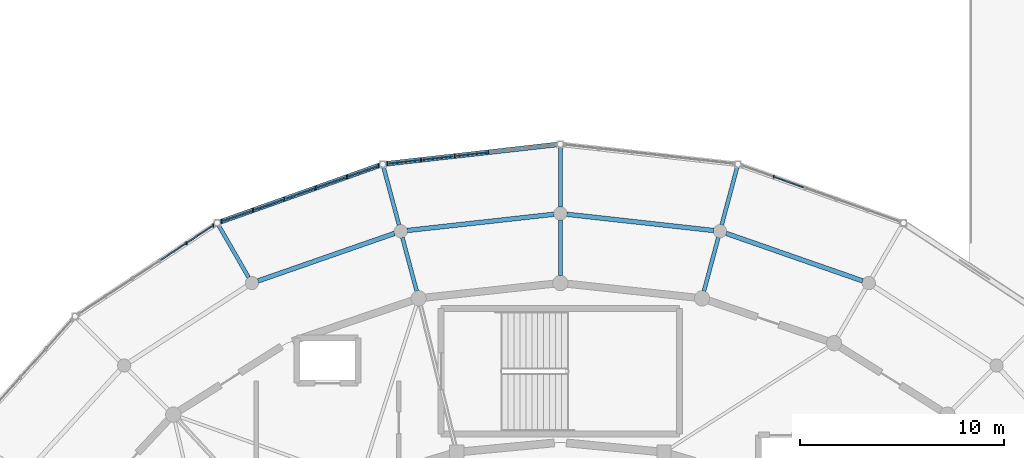
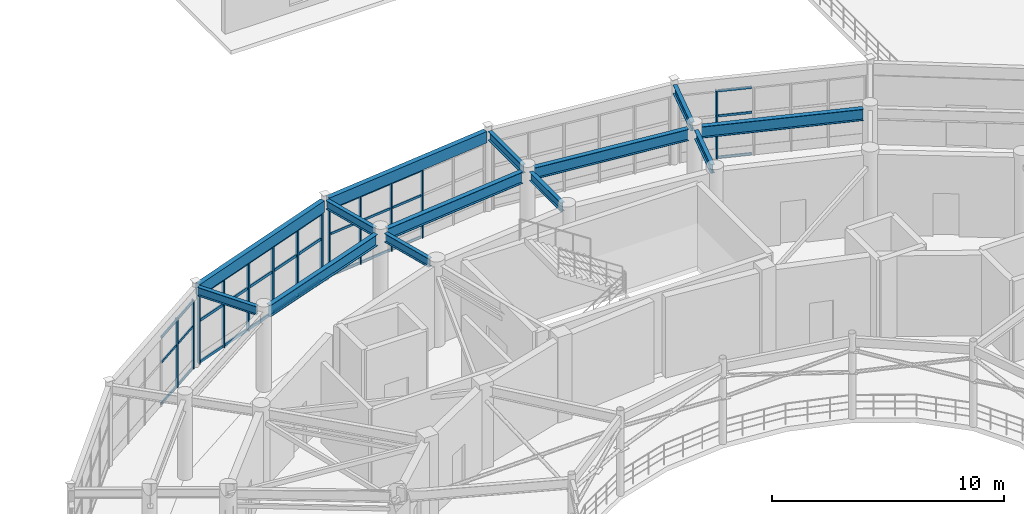
# One storey, part 23 of 60: 46 members, 13 beams, 4 elements without a shape of their own.
"""IFC4 building model written with IfcOpenShell, lengths in metres."""

from ifc_helpers import new_model, si_unit, direction, frame, origin, origin_2d, place, context, subcontext, project, spatial, rectangle, i_section, extrude, material, material_profile, profile_set, type_object, element, aggregate, save


model = new_model("IFC4")

# Units and contexts
model_context = context("Model", 3, precision=1e-05, world=origin(), true_north=direction((0.0, 1.0)))
body_context = subcontext(model_context, "Body", "Model", "MODEL_VIEW")
ifc_project = project(units=[si_unit("LENGTHUNIT", "METRE"), si_unit("AREAUNIT", "SQUARE_METRE"), si_unit("VOLUMEUNIT", "CUBIC_METRE"), si_unit("PLANEANGLEUNIT", "RADIAN"), si_unit("MASSUNIT", "GRAM", prefix="KILO")], contexts=[model_context])

# Site, building, storey
site_placement = place(None, origin())
site = spatial("IfcSite", under=ifc_project, at=site_placement, CompositionType="ELEMENT")
building_placement = place(site_placement, origin())
building = spatial("IfcBuilding", under=site, at=building_placement, Name="Cinderbank Siding Concert Hall", CompositionType="ELEMENT")
storey_placement = place(building_placement, frame((0.0, 0.0, 14.699951171875)))
storey = spatial("IfcBuildingStorey", under=building, at=storey_placement, Name="L04", CompositionType="ELEMENT", Elevation=14.699951171875)

# Beams
ifc_material_1 = material(Name="Structural steel AS/NZS 3679.1 Grade 350 (340 MPa)", Category="steel")
ifc_material_profile_1 = material_profile(ifc_material_1, i_section(OverallWidth=0.19091796875, OverallDepth=0.46044921875, WebThickness=0.010009765625, FlangeThickness=0.01611328125, at=origin_2d()), Name="460UB82.1", Category="LoadBearing")
ifc_profile_set_1 = profile_set([ifc_material_profile_1], Name="Structural steel AS/NZS 3679.1 Grade 350 (340 MPa)")
beam_type_1 = type_object("IfcBeamType", Name="BM-UB460H 460UB82.1", PredefinedType="BEAM", material=ifc_profile_set_1)
beam_1_placement = place(storey_placement, frame((129.031494140625, 65.60498046875, 4.03173828125), z_axis=(0.258809477387, 0.9659283899, 0.0), x_axis=(-0.9659283899, 0.258809477387, 0.0)))
element("IfcBeam", 1, at=beam_1_placement, inside=storey, type_object=beam_type_1, Name="L04 Beam BM-UB460H #717", PredefinedType="BEAM", context=body_context, shape_type="SweptSolid", body=[
    extrude(i_section(OverallWidth=0.19091796875, OverallDepth=0.46044921875, WebThickness=0.010009765625, FlangeThickness=0.01611328125, at=origin_2d()), origin(), (0.0, 0.0, 1.0), 2.7158203125),
])
beam_2_placement = place(storey_placement, frame((122.0, 66.366943359375, 4.03173828125), z_axis=(0.0, 1.0, 0.0), x_axis=(-1.0, 0.0, 0.0)))
element("IfcBeam", 2, at=beam_2_placement, inside=storey, type_object=beam_type_1, Name="L04 Beam BM-UB460H #718", PredefinedType="BEAM", context=body_context, shape_type="SweptSolid", body=[
    extrude(i_section(OverallWidth=0.19091796875, OverallDepth=0.46044921875, WebThickness=0.010009765625, FlangeThickness=0.01611328125, at=origin_2d()), origin(), (0.0, 0.0, 1.0), 2.716064453125),
])
beam_3_placement = place(storey_placement, frame((114.968505859375, 65.60498046875, 4.03173828125), z_axis=(-0.258809477387, 0.9659283899, 0.0), x_axis=(-0.9659283899, -0.258809477387, 0.0)))
element("IfcBeam", 3, at=beam_3_placement, inside=storey, type_object=beam_type_1, Name="L04 Beam BM-UB460H #719", PredefinedType="BEAM", context=body_context, shape_type="SweptSolid", body=[
    extrude(i_section(OverallWidth=0.19091796875, OverallDepth=0.46044921875, WebThickness=0.010009765625, FlangeThickness=0.01611328125, at=origin_2d()), origin(), (0.0, 0.0, 1.0), 2.7158203125),
])
for number, where, z_axis, x_axis, name in (
    (4, (129.898193359375, 68.8408203125, 4.001953125), (0.258897184534, 0.965904885504, 0.0), (-0.965904885504, 0.258897184534, 0.0), "L04 Beam BM-UB460H #740"),
    (5, (122.0, 69.717041015625, 4.001953125), (0.0, 1.0, 0.0), (-1.0, 0.0, 0.0), "L04 Beam BM-UB460H #741"),
    (6, (114.101806640625, 68.8408203125, 4.001953125), (-0.258897184534, 0.965904885504, 0.0), (-0.965904885504, -0.258897184534, 0.0), "L04 Beam BM-UB460H #742"),
    (7, (106.741455078125, 66.271484375, 4.001953125), (-0.499958157915, 0.866049559976, 0.0), (-0.866049559976, -0.499958157915, 0.0), "L04 Beam BM-UB460H #743"),
):
    element("IfcBeam", number, at=place(storey_placement, frame(where, z_axis=z_axis, x_axis=x_axis)), inside=storey, type_object=beam_type_1, Name=name, PredefinedType="BEAM", context=body_context, shape_type="SweptSolid", body=[
        extrude(i_section(OverallWidth=0.19091796875, OverallDepth=0.46044921875, WebThickness=0.010009765625, FlangeThickness=0.01611328125, at=origin_2d()), origin(), (0.0, 0.0, 1.0), 2.928955078125),
    ])
ifc_material_profile_2 = material_profile(ifc_material_1, i_section(OverallWidth=0.22802734375, OverallDepth=0.60693359375, WebThickness=0.01123046875, FlangeThickness=0.017333984375, at=origin_2d()), Name="610UB113", Category="LoadBearing")
ifc_profile_set_2 = profile_set([ifc_material_profile_2], Name="Structural steel AS/NZS 3679.1 Grade 350 (340 MPa)")
beam_type_2 = type_object("IfcBeamType", Name="BM-UB610M 610UB113", PredefinedType="BEAM", material=ifc_profile_set_2)
beam_4_placement = place(storey_placement, frame((136.800537109375, 66.101318359375, 3.928466796875), z_axis=(-0.944334299593, 0.328987432301, 0.0), x_axis=(-0.328987432301, -0.944334299593, 0.0)))
element("IfcBeam", 8, at=beam_4_placement, inside=storey, type_object=beam_type_2, Name="L04 Beam BM-UB610M #656", PredefinedType="BEAM", context=body_context, shape_type="SweptSolid", body=[
    extrude(i_section(OverallWidth=0.22802734375, OverallDepth=0.60693359375, WebThickness=0.01123046875, FlangeThickness=0.017333984375, at=origin_2d()), origin(), (0.0, 0.0, 1.0), 7.078857421875),
])
for number, where, z_axis, x_axis, name in (
    (9, (129.501220703125, 68.5693359375, 3.928466796875), (-0.993926077211, 0.110049775281, 0.0), (-0.110049775281, -0.993926077211, 0.0), "L04 Beam BM-UB610M #657"),
    (10, (121.684814453125, 69.364990234375, 3.928466796875), (-0.993926077211, -0.110049775281, 0.0), (0.110049775281, -0.993926077211, 0.0), "L04 Beam BM-UB610M #658"),
):
    element("IfcBeam", number, at=place(storey_placement, frame(where, z_axis=z_axis, x_axis=x_axis)), inside=storey, type_object=beam_type_2, Name=name, PredefinedType="BEAM", context=body_context, shape_type="SweptSolid", body=[
        extrude(i_section(OverallWidth=0.22802734375, OverallDepth=0.60693359375, WebThickness=0.01123046875, FlangeThickness=0.017333984375, at=origin_2d()), origin(), (0.0, 0.0, 1.0), 7.22998046875),
    ])
beam_5_placement = place(storey_placement, frame((113.88427734375, 68.43017578125, 3.928466796875), z_axis=(-0.944334299593, -0.328987432301, 0.0), x_axis=(0.328987432301, -0.944334299593, 0.0)))
element("IfcBeam", 11, at=beam_5_placement, inside=storey, type_object=beam_type_2, Name="L04 Beam BM-UB610M #659", PredefinedType="BEAM", context=body_context, shape_type="SweptSolid", body=[
    extrude(i_section(OverallWidth=0.22802734375, OverallDepth=0.60693359375, WebThickness=0.01123046875, FlangeThickness=0.017333984375, at=origin_2d()), origin(), (0.0, 0.0, 1.0), 7.078857421875),
])

# Curtain wall, member
ifc_material_2 = material(Name="Anodised aluminium alloy 6063-T6", Category="aluminium")
curtain_wall_type_1 = type_object("IfcCurtainWallType", Name="CW-05 Unitised Acoustic Curtain Wall 8200x3800", PredefinedType="NOTDEFINED", material=ifc_material_2)
curtain_wall_1_placement = place(storey_placement, origin())
curtain_wall_1 = element("IfcCurtainWall", 12, at=curtain_wall_1_placement, inside=storey, type_object=curtain_wall_type_1, Name="L04 Curtain Wall CW-05 #52", PredefinedType="NOTDEFINED")
ifc_material_profile_3 = material_profile(ifc_material_2, rectangle(XDim=0.06005859375, YDim=0.159912109375, at=origin_2d()), Name="ALU-MULL-60x160", Category="LoadBearing")
ifc_profile_set_3 = profile_set([ifc_material_profile_3], Name="Anodised aluminium alloy 6063-T6")
member_type_1 = type_object("IfcMemberType", Name="CW-ML1 Mullion 60x160", PredefinedType="MULLION", material=ifc_profile_set_3)
member_1_placement = place(storey_placement, frame((132.4453125, 71.19775390625, 0.0), z_axis=(0.0, 0.0, 1.0), x_axis=(1.0, 0.0, 0.0)))
member_1 = element("IfcMember", 13, at=member_1_placement, type_object=member_type_1, Name="CW-L04-052 Mullion 4", PredefinedType="MULLION", context=body_context, shape_type="SweptSolid", body=[
    extrude(rectangle(XDim=0.06005859375, YDim=0.159912109375, at=origin_2d()), origin(), (0.0, 0.0, 1.0), 3.616943359375),
])

# Curtain wall, members
curtain_wall_type_2 = type_object("IfcCurtainWallType", Name="CW-07 Unitised Acoustic Curtain Wall 7000x3800", PredefinedType="NOTDEFINED", material=ifc_material_2)
curtain_wall_2_placement = place(storey_placement, origin())
curtain_wall_2 = element("IfcCurtainWall", 14, at=curtain_wall_2_placement, inside=storey, type_object=curtain_wall_type_2, Name="L04 Curtain Wall CW-07 #54", PredefinedType="NOTDEFINED")
member_2_placement = place(storey_placement, frame((118.476318359375, 72.40234375, 0.0), z_axis=(0.0, 0.0, 1.0), x_axis=(1.0, 0.0, 0.0)))
member_2 = element("IfcMember", 15, at=member_2_placement, type_object=member_type_1, Name="CW-L04-054 Mullion 2", PredefinedType="MULLION", context=body_context, shape_type="SweptSolid", body=[
    extrude(rectangle(XDim=0.06005859375, YDim=0.159912109375, at=origin_2d()), origin(), (0.0, 0.0, 1.0), 3.616943359375),
])
member_3_placement = place(storey_placement, frame((116.827392578125, 72.21630859375, 0.0), z_axis=(0.0, 0.0, 1.0), x_axis=(1.0, 0.0, 0.0)))
member_3 = element("IfcMember", 16, at=member_3_placement, type_object=member_type_1, Name="CW-L04-054 Mullion 3", PredefinedType="MULLION", context=body_context, shape_type="SweptSolid", body=[
    extrude(rectangle(XDim=0.06005859375, YDim=0.159912109375, at=origin_2d()), origin(), (0.0, 0.0, 1.0), 3.616943359375),
])
member_4_placement = place(storey_placement, frame((115.17822265625, 72.0302734375, 0.0), z_axis=(0.0, 0.0, 1.0), x_axis=(1.0, 0.0, 0.0)))
member_4 = element("IfcMember", 17, at=member_4_placement, type_object=member_type_1, Name="CW-L04-054 Mullion 4", PredefinedType="MULLION", context=body_context, shape_type="SweptSolid", body=[
    extrude(rectangle(XDim=0.06005859375, YDim=0.159912109375, at=origin_2d()), origin(), (0.0, 0.0, 1.0), 3.616943359375),
])
member_5_placement = place(storey_placement, frame((113.529296875, 71.843994140625, 0.0), z_axis=(0.0, 0.0, 1.0), x_axis=(1.0, 0.0, 0.0)))
member_5 = element("IfcMember", 18, at=member_5_placement, type_object=member_type_1, Name="CW-L04-054 Mullion 5", PredefinedType="MULLION", context=body_context, shape_type="SweptSolid", body=[
    extrude(rectangle(XDim=0.06005859375, YDim=0.159912109375, at=origin_2d()), origin(), (0.0, 0.0, 1.0), 3.616943359375),
])

curtain_wall_type_3 = type_object("IfcCurtainWallType", Name="CW-09 Unitised Acoustic Curtain Wall 8000x3500", PredefinedType="NOTDEFINED", material=ifc_material_2)
curtain_wall_3_placement = place(storey_placement, origin())
curtain_wall_3 = element("IfcCurtainWall", 19, at=curtain_wall_3_placement, inside=storey, type_object=curtain_wall_type_3, Name="L04 Curtain Wall CW-09 #56", PredefinedType="NOTDEFINED")
member_6_placement = place(storey_placement, frame((105.010498046875, 68.81689453125, 0.0), z_axis=(0.0, 0.0, 1.0), x_axis=(1.0, 0.0, 0.0)))
member_6 = element("IfcMember", 20, at=member_6_placement, type_object=member_type_1, Name="CW-L04-056 Mullion 0", PredefinedType="MULLION", context=body_context, shape_type="SweptSolid", body=[
    extrude(rectangle(XDim=0.06005859375, YDim=0.159912109375, at=origin_2d()), origin(), (0.0, 0.0, 1.0), 3.616943359375),
])
member_7_placement = place(storey_placement, frame((103.694580078125, 67.951416015625, 0.0), z_axis=(0.0, 0.0, 1.0), x_axis=(1.0, 0.0, 0.0)))
member_7 = element("IfcMember", 21, at=member_7_placement, type_object=member_type_1, Name="CW-L04-056 Mullion 1", PredefinedType="MULLION", context=body_context, shape_type="SweptSolid", body=[
    extrude(rectangle(XDim=0.06005859375, YDim=0.159912109375, at=origin_2d()), origin(), (0.0, 0.0, 1.0), 3.616943359375),
])

curtain_wall_type_4 = type_object("IfcCurtainWallType", Name="CW-08 Unitised Acoustic Curtain Wall 6400x3800", PredefinedType="NOTDEFINED", material=ifc_material_2)
curtain_wall_4_placement = place(storey_placement, origin())
curtain_wall_4 = element("IfcCurtainWall", 22, at=curtain_wall_4_placement, inside=storey, type_object=curtain_wall_type_4, Name="L04 Curtain Wall CW-08 #55", PredefinedType="NOTDEFINED")
ifc_material_profile_4 = material_profile(ifc_material_2, rectangle(XDim=0.06494140625, YDim=0.199951171875, at=origin_2d()), Name="ALU-MULL-65x200", Category="LoadBearing")
ifc_profile_set_4 = profile_set([ifc_material_profile_4], Name="Anodised aluminium alloy 6063-T6")
member_type_2 = type_object("IfcMemberType", Name="CW-ML2 Mullion 65x200", PredefinedType="MULLION", material=ifc_profile_set_4)
member_8_placement = place(storey_placement, frame((113.08984375, 71.742919921875, 0.0), z_axis=(0.0, 0.0, 1.0), x_axis=(1.0, 0.0, 0.0)))
member_8 = element("IfcMember", 23, at=member_8_placement, type_object=member_type_2, Name="CW-L04-055 Mullion 0", PredefinedType="MULLION", context=body_context, shape_type="SweptSolid", body=[
    extrude(rectangle(XDim=0.06494140625, YDim=0.199951171875, at=origin_2d()), origin(), (0.0, 0.0, 1.0), 3.616943359375),
])
member_9_placement = place(storey_placement, frame((111.5546875, 71.19775390625, 0.0), z_axis=(0.0, 0.0, 1.0), x_axis=(1.0, 0.0, 0.0)))
member_9 = element("IfcMember", 24, at=member_9_placement, type_object=member_type_2, Name="CW-L04-055 Mullion 1", PredefinedType="MULLION", context=body_context, shape_type="SweptSolid", body=[
    extrude(rectangle(XDim=0.06494140625, YDim=0.199951171875, at=origin_2d()), origin(), (0.0, 0.0, 1.0), 3.616943359375),
])
member_10_placement = place(storey_placement, frame((110.019287109375, 70.652587890625, 0.0), z_axis=(0.0, 0.0, 1.0), x_axis=(1.0, 0.0, 0.0)))
member_10 = element("IfcMember", 25, at=member_10_placement, type_object=member_type_2, Name="CW-L04-055 Mullion 2", PredefinedType="MULLION", context=body_context, shape_type="SweptSolid", body=[
    extrude(rectangle(XDim=0.06494140625, YDim=0.199951171875, at=origin_2d()), origin(), (0.0, 0.0, 1.0), 3.616943359375),
])
member_11_placement = place(storey_placement, frame((108.484375, 70.107666015625, 0.0), z_axis=(0.0, 0.0, 1.0), x_axis=(1.0, 0.0, 0.0)))
member_11 = element("IfcMember", 26, at=member_11_placement, type_object=member_type_2, Name="CW-L04-055 Mullion 3", PredefinedType="MULLION", context=body_context, shape_type="SweptSolid", body=[
    extrude(rectangle(XDim=0.06494140625, YDim=0.199951171875, at=origin_2d()), origin(), (0.0, 0.0, 1.0), 3.616943359375),
])
member_12_placement = place(storey_placement, frame((106.94921875, 69.5625, 0.0), z_axis=(0.0, 0.0, 1.0), x_axis=(1.0, 0.0, 0.0)))
member_12 = element("IfcMember", 27, at=member_12_placement, type_object=member_type_2, Name="CW-L04-055 Mullion 4", PredefinedType="MULLION", context=body_context, shape_type="SweptSolid", body=[
    extrude(rectangle(XDim=0.06494140625, YDim=0.199951171875, at=origin_2d()), origin(), (0.0, 0.0, 1.0), 3.616943359375),
])
member_13_placement = place(storey_placement, frame((105.413818359375, 69.017333984375, 0.0), z_axis=(0.0, 0.0, 1.0), x_axis=(1.0, 0.0, 0.0)))
member_13 = element("IfcMember", 28, at=member_13_placement, type_object=member_type_2, Name="CW-L04-055 Mullion 5", PredefinedType="MULLION", context=body_context, shape_type="SweptSolid", body=[
    extrude(rectangle(XDim=0.06494140625, YDim=0.199951171875, at=origin_2d()), origin(), (0.0, 0.0, 1.0), 3.616943359375),
])

# Member
ifc_material_profile_5 = material_profile(ifc_material_2, rectangle(XDim=0.06005859375, YDim=0.1201171875, at=origin_2d()), Name="ALU-TRAN-60x120", Category="LoadBearing")
ifc_profile_set_5 = profile_set([ifc_material_profile_5], Name="Anodised aluminium alloy 6063-T6")
member_type_3 = type_object("IfcMemberType", Name="CW-TR1 Transom 60x120", PredefinedType="USERDEFINED", material=ifc_profile_set_5)
member_14_placement = place(storey_placement, frame((133.90380859375, 70.679931640625, 0.06005859375), z_axis=(-0.942376945381, 0.334552974602, 0.0), x_axis=(-0.334552974602, -0.942376945381, 0.0)))
member_14 = element("IfcMember", 29, at=member_14_placement, type_object=member_type_3, Name="CW-L04-052 Transom 3-0", ObjectType="TRANSOM", PredefinedType="USERDEFINED", context=body_context, shape_type="SweptSolid", body=[
    extrude(rectangle(XDim=0.06005859375, YDim=0.1201171875, at=origin_2d()), origin(), (0.0, 0.0, 1.0), 1.466064453125),
])

member_15_placement = place(storey_placement, frame((133.90380859375, 70.679931640625, 2.242431640625), z_axis=(-0.942376945381, 0.334552974602, 0.0), x_axis=(-0.334552974602, -0.942376945381, 0.0)))
member_15 = element("IfcMember", 30, at=member_15_placement, type_object=member_type_3, Name="CW-L04-052 Transom 3-1", ObjectType="TRANSOM", PredefinedType="USERDEFINED", context=body_context, shape_type="SweptSolid", body=[
    extrude(rectangle(XDim=0.06005859375, YDim=0.1201171875, at=origin_2d()), origin(), (0.0, 0.0, 1.0), 1.466064453125),
])

member_16_placement = place(storey_placement, frame((133.90380859375, 70.679931640625, 3.55712890625), z_axis=(-0.942376945381, 0.334552974602, 0.0), x_axis=(-0.334552974602, -0.942376945381, 0.0)))
member_16 = element("IfcMember", 31, at=member_16_placement, type_object=member_type_3, Name="CW-L04-052 Transom 3-2", ObjectType="TRANSOM", PredefinedType="USERDEFINED", context=body_context, shape_type="SweptSolid", body=[
    extrude(rectangle(XDim=0.06005859375, YDim=0.1201171875, at=origin_2d()), origin(), (0.0, 0.0, 1.0), 1.466064453125),
])

aggregate(curtain_wall_1, [member_1, member_14, member_15, member_16])

member_17_placement = place(storey_placement, frame((118.393798828125, 72.39306640625, 0.06005859375), z_axis=(-0.993690839164, -0.112153984151, 0.0), x_axis=(0.112153984151, -0.993690839164, 0.0)))
member_17 = element("IfcMember", 32, at=member_17_placement, type_object=member_type_3, Name="CW-L04-054 Transom 2-0", ObjectType="TRANSOM", PredefinedType="USERDEFINED", context=body_context, shape_type="SweptSolid", body=[
    extrude(rectangle(XDim=0.06005859375, YDim=0.1201171875, at=origin_2d()), origin(), (0.0, 0.0, 1.0), 1.493408203125),
])

member_18_placement = place(storey_placement, frame((118.393798828125, 72.39306640625, 2.242431640625), z_axis=(-0.993690839164, -0.112153984151, 0.0), x_axis=(0.112153984151, -0.993690839164, 0.0)))
member_18 = element("IfcMember", 33, at=member_18_placement, type_object=member_type_3, Name="CW-L04-054 Transom 2-1", ObjectType="TRANSOM", PredefinedType="USERDEFINED", context=body_context, shape_type="SweptSolid", body=[
    extrude(rectangle(XDim=0.06005859375, YDim=0.1201171875, at=origin_2d()), origin(), (0.0, 0.0, 1.0), 1.493408203125),
])

member_19_placement = place(storey_placement, frame((118.393798828125, 72.39306640625, 3.55712890625), z_axis=(-0.993690839164, -0.112153984151, 0.0), x_axis=(0.112153984151, -0.993690839164, 0.0)))
member_19 = element("IfcMember", 34, at=member_19_placement, type_object=member_type_3, Name="CW-L04-054 Transom 2-2", ObjectType="TRANSOM", PredefinedType="USERDEFINED", context=body_context, shape_type="SweptSolid", body=[
    extrude(rectangle(XDim=0.06005859375, YDim=0.1201171875, at=origin_2d()), origin(), (0.0, 0.0, 1.0), 1.493408203125),
])

member_20_placement = place(storey_placement, frame((116.744873046875, 72.20703125, 0.06005859375), z_axis=(-0.993692895122, -0.112135766747, 0.0), x_axis=(0.112135766747, -0.993692895122, 0.0)))
member_20 = element("IfcMember", 35, at=member_20_placement, type_object=member_type_3, Name="CW-L04-054 Transom 3-0", ObjectType="TRANSOM", PredefinedType="USERDEFINED", context=body_context, shape_type="SweptSolid", body=[
    extrude(rectangle(XDim=0.06005859375, YDim=0.1201171875, at=origin_2d()), origin(), (0.0, 0.0, 1.0), 1.49365234375),
])

member_21_placement = place(storey_placement, frame((116.744873046875, 72.20703125, 2.242431640625), z_axis=(-0.993692895122, -0.112135766747, 0.0), x_axis=(0.112135766747, -0.993692895122, 0.0)))
member_21 = element("IfcMember", 36, at=member_21_placement, type_object=member_type_3, Name="CW-L04-054 Transom 3-1", ObjectType="TRANSOM", PredefinedType="USERDEFINED", context=body_context, shape_type="SweptSolid", body=[
    extrude(rectangle(XDim=0.06005859375, YDim=0.1201171875, at=origin_2d()), origin(), (0.0, 0.0, 1.0), 1.49365234375),
])

member_22_placement = place(storey_placement, frame((116.744873046875, 72.20703125, 3.55712890625), z_axis=(-0.993692895122, -0.112135766747, 0.0), x_axis=(0.112135766747, -0.993692895122, 0.0)))
member_22 = element("IfcMember", 37, at=member_22_placement, type_object=member_type_3, Name="CW-L04-054 Transom 3-2", ObjectType="TRANSOM", PredefinedType="USERDEFINED", context=body_context, shape_type="SweptSolid", body=[
    extrude(rectangle(XDim=0.06005859375, YDim=0.1201171875, at=origin_2d()), origin(), (0.0, 0.0, 1.0), 1.49365234375),
])

member_23_placement = place(storey_placement, frame((115.095703125, 72.02099609375, 0.06005859375), z_axis=(-0.993690839164, -0.112153984151, 0.0), x_axis=(0.112153984151, -0.993690839164, 0.0)))
member_23 = element("IfcMember", 38, at=member_23_placement, type_object=member_type_3, Name="CW-L04-054 Transom 4-0", ObjectType="TRANSOM", PredefinedType="USERDEFINED", context=body_context, shape_type="SweptSolid", body=[
    extrude(rectangle(XDim=0.06005859375, YDim=0.1201171875, at=origin_2d()), origin(), (0.0, 0.0, 1.0), 1.493408203125),
])

member_24_placement = place(storey_placement, frame((115.095703125, 72.02099609375, 2.242431640625), z_axis=(-0.993690839164, -0.112153984151, 0.0), x_axis=(0.112153984151, -0.993690839164, 0.0)))
member_24 = element("IfcMember", 39, at=member_24_placement, type_object=member_type_3, Name="CW-L04-054 Transom 4-1", ObjectType="TRANSOM", PredefinedType="USERDEFINED", context=body_context, shape_type="SweptSolid", body=[
    extrude(rectangle(XDim=0.06005859375, YDim=0.1201171875, at=origin_2d()), origin(), (0.0, 0.0, 1.0), 1.493408203125),
])

member_25_placement = place(storey_placement, frame((115.095703125, 72.02099609375, 3.55712890625), z_axis=(-0.993690839164, -0.112153984151, 0.0), x_axis=(0.112153984151, -0.993690839164, 0.0)))
member_25 = element("IfcMember", 40, at=member_25_placement, type_object=member_type_3, Name="CW-L04-054 Transom 4-2", ObjectType="TRANSOM", PredefinedType="USERDEFINED", context=body_context, shape_type="SweptSolid", body=[
    extrude(rectangle(XDim=0.06005859375, YDim=0.1201171875, at=origin_2d()), origin(), (0.0, 0.0, 1.0), 1.493408203125),
])

aggregate(curtain_wall_2, [member_2, member_3, member_4, member_5, member_17, member_18, member_19, member_20, member_21, member_22, member_23, member_24, member_25])

member_26_placement = place(storey_placement, frame((104.944580078125, 68.7734375, 0.06005859375), z_axis=(-0.835531529407, -0.549442502331, 0.0), x_axis=(0.549442502331, -0.835531529407, 0.0)))
member_26 = element("IfcMember", 41, at=member_26_placement, type_object=member_type_3, Name="CW-L04-056 Transom 0-0", ObjectType="TRANSOM", PredefinedType="USERDEFINED", context=body_context, shape_type="SweptSolid", body=[
    extrude(rectangle(XDim=0.06005859375, YDim=0.1201171875, at=origin_2d()), origin(), (0.0, 0.0, 1.0), 1.41748046875),
])

member_27_placement = place(storey_placement, frame((104.944580078125, 68.7734375, 2.242431640625), z_axis=(-0.835531529407, -0.549442502331, 0.0), x_axis=(0.549442502331, -0.835531529407, 0.0)))
member_27 = element("IfcMember", 42, at=member_27_placement, type_object=member_type_3, Name="CW-L04-056 Transom 0-1", ObjectType="TRANSOM", PredefinedType="USERDEFINED", context=body_context, shape_type="SweptSolid", body=[
    extrude(rectangle(XDim=0.06005859375, YDim=0.1201171875, at=origin_2d()), origin(), (0.0, 0.0, 1.0), 1.41748046875),
])

member_28_placement = place(storey_placement, frame((104.944580078125, 68.7734375, 3.55712890625), z_axis=(-0.835531529407, -0.549442502331, 0.0), x_axis=(0.549442502331, -0.835531529407, 0.0)))
member_28 = element("IfcMember", 43, at=member_28_placement, type_object=member_type_3, Name="CW-L04-056 Transom 0-2", ObjectType="TRANSOM", PredefinedType="USERDEFINED", context=body_context, shape_type="SweptSolid", body=[
    extrude(rectangle(XDim=0.06005859375, YDim=0.1201171875, at=origin_2d()), origin(), (0.0, 0.0, 1.0), 1.41748046875),
])

member_29_placement = place(storey_placement, frame((103.628662109375, 67.907958984375, 0.06005859375), z_axis=(-0.835531529407, -0.549442502331, 0.0), x_axis=(0.549442502331, -0.835531529407, 0.0)))
member_29 = element("IfcMember", 44, at=member_29_placement, type_object=member_type_3, Name="CW-L04-056 Transom 1-0", ObjectType="TRANSOM", PredefinedType="USERDEFINED", context=body_context, shape_type="SweptSolid", body=[
    extrude(rectangle(XDim=0.06005859375, YDim=0.1201171875, at=origin_2d()), origin(), (0.0, 0.0, 1.0), 1.41748046875),
])

member_30_placement = place(storey_placement, frame((103.628662109375, 67.907958984375, 2.242431640625), z_axis=(-0.835531529407, -0.549442502331, 0.0), x_axis=(0.549442502331, -0.835531529407, 0.0)))
member_30 = element("IfcMember", 45, at=member_30_placement, type_object=member_type_3, Name="CW-L04-056 Transom 1-1", ObjectType="TRANSOM", PredefinedType="USERDEFINED", context=body_context, shape_type="SweptSolid", body=[
    extrude(rectangle(XDim=0.06005859375, YDim=0.1201171875, at=origin_2d()), origin(), (0.0, 0.0, 1.0), 1.41748046875),
])

member_31_placement = place(storey_placement, frame((103.628662109375, 67.907958984375, 3.55712890625), z_axis=(-0.835531529407, -0.549442502331, 0.0), x_axis=(0.549442502331, -0.835531529407, 0.0)))
member_31 = element("IfcMember", 46, at=member_31_placement, type_object=member_type_3, Name="CW-L04-056 Transom 1-2", ObjectType="TRANSOM", PredefinedType="USERDEFINED", context=body_context, shape_type="SweptSolid", body=[
    extrude(rectangle(XDim=0.06005859375, YDim=0.1201171875, at=origin_2d()), origin(), (0.0, 0.0, 1.0), 1.41748046875),
])

aggregate(curtain_wall_3, [member_6, member_7, member_26, member_27, member_28, member_29, member_30, member_31])

ifc_material_profile_6 = material_profile(ifc_material_2, rectangle(XDim=0.06494140625, YDim=0.14990234375, at=origin_2d()), Name="ALU-TRAN-65x150", Category="LoadBearing")
ifc_profile_set_6 = profile_set([ifc_material_profile_6], Name="Anodised aluminium alloy 6063-T6")
member_type_4 = type_object("IfcMemberType", Name="CW-TR2 Transom 65x150", PredefinedType="USERDEFINED", material=ifc_profile_set_6)
member_32_placement = place(storey_placement, frame((113.01318359375, 71.715576171875, 0.06005859375), z_axis=(-0.942395579657, -0.334500480482, 0.0), x_axis=(0.334500480482, -0.942395579657, 0.0)))
member_32 = element("IfcMember", 47, at=member_32_placement, type_object=member_type_4, Name="CW-L04-055 Transom 0-0", ObjectType="TRANSOM", PredefinedType="USERDEFINED", context=body_context, shape_type="SweptSolid", body=[
    extrude(rectangle(XDim=0.06494140625, YDim=0.14990234375, at=origin_2d()), origin(), (0.0, 0.0, 1.0), 1.46630859375),
])

member_33_placement = place(storey_placement, frame((113.01318359375, 71.715576171875, 2.242431640625), z_axis=(-0.942395579657, -0.334500480482, 0.0), x_axis=(0.334500480482, -0.942395579657, 0.0)))
member_33 = element("IfcMember", 48, at=member_33_placement, type_object=member_type_4, Name="CW-L04-055 Transom 0-1", ObjectType="TRANSOM", PredefinedType="USERDEFINED", context=body_context, shape_type="SweptSolid", body=[
    extrude(rectangle(XDim=0.06494140625, YDim=0.14990234375, at=origin_2d()), origin(), (0.0, 0.0, 1.0), 1.46630859375),
])

member_34_placement = place(storey_placement, frame((113.01318359375, 71.715576171875, 3.55712890625), z_axis=(-0.942395579657, -0.334500480482, 0.0), x_axis=(0.334500480482, -0.942395579657, 0.0)))
member_34 = element("IfcMember", 49, at=member_34_placement, type_object=member_type_4, Name="CW-L04-055 Transom 0-2", ObjectType="TRANSOM", PredefinedType="USERDEFINED", context=body_context, shape_type="SweptSolid", body=[
    extrude(rectangle(XDim=0.06494140625, YDim=0.14990234375, at=origin_2d()), origin(), (0.0, 0.0, 1.0), 1.46630859375),
])

member_35_placement = place(storey_placement, frame((111.477783203125, 71.17041015625, 0.06005859375), z_axis=(-0.942376945381, -0.334552974602, 0.0), x_axis=(0.334552974602, -0.942376945381, 0.0)))
member_35 = element("IfcMember", 50, at=member_35_placement, type_object=member_type_4, Name="CW-L04-055 Transom 1-0", ObjectType="TRANSOM", PredefinedType="USERDEFINED", context=body_context, shape_type="SweptSolid", body=[
    extrude(rectangle(XDim=0.06494140625, YDim=0.14990234375, at=origin_2d()), origin(), (0.0, 0.0, 1.0), 1.466064453125),
])

member_36_placement = place(storey_placement, frame((111.477783203125, 71.17041015625, 2.242431640625), z_axis=(-0.942376945381, -0.334552974602, 0.0), x_axis=(0.334552974602, -0.942376945381, 0.0)))
member_36 = element("IfcMember", 51, at=member_36_placement, type_object=member_type_4, Name="CW-L04-055 Transom 1-1", ObjectType="TRANSOM", PredefinedType="USERDEFINED", context=body_context, shape_type="SweptSolid", body=[
    extrude(rectangle(XDim=0.06494140625, YDim=0.14990234375, at=origin_2d()), origin(), (0.0, 0.0, 1.0), 1.466064453125),
])

member_37_placement = place(storey_placement, frame((111.477783203125, 71.17041015625, 3.55712890625), z_axis=(-0.942376945381, -0.334552974602, 0.0), x_axis=(0.334552974602, -0.942376945381, 0.0)))
member_37 = element("IfcMember", 52, at=member_37_placement, type_object=member_type_4, Name="CW-L04-055 Transom 1-2", ObjectType="TRANSOM", PredefinedType="USERDEFINED", context=body_context, shape_type="SweptSolid", body=[
    extrude(rectangle(XDim=0.06494140625, YDim=0.14990234375, at=origin_2d()), origin(), (0.0, 0.0, 1.0), 1.466064453125),
])

member_38_placement = place(storey_placement, frame((109.942626953125, 70.62548828125, 0.06005859375), z_axis=(-0.942324434865, -0.334700850694, 0.0), x_axis=(0.334700850694, -0.942324434865, 0.0)))
member_38 = element("IfcMember", 53, at=member_38_placement, type_object=member_type_4, Name="CW-L04-055 Transom 2-0", ObjectType="TRANSOM", PredefinedType="USERDEFINED", context=body_context, shape_type="SweptSolid", body=[
    extrude(rectangle(XDim=0.06494140625, YDim=0.14990234375, at=origin_2d()), origin(), (0.0, 0.0, 1.0), 1.466064453125),
])

member_39_placement = place(storey_placement, frame((109.942626953125, 70.62548828125, 2.242431640625), z_axis=(-0.942324434865, -0.334700850694, 0.0), x_axis=(0.334700850694, -0.942324434865, 0.0)))
member_39 = element("IfcMember", 54, at=member_39_placement, type_object=member_type_4, Name="CW-L04-055 Transom 2-1", ObjectType="TRANSOM", PredefinedType="USERDEFINED", context=body_context, shape_type="SweptSolid", body=[
    extrude(rectangle(XDim=0.06494140625, YDim=0.14990234375, at=origin_2d()), origin(), (0.0, 0.0, 1.0), 1.466064453125),
])

member_40_placement = place(storey_placement, frame((109.942626953125, 70.62548828125, 3.55712890625), z_axis=(-0.942324434865, -0.334700850694, 0.0), x_axis=(0.334700850694, -0.942324434865, 0.0)))
member_40 = element("IfcMember", 55, at=member_40_placement, type_object=member_type_4, Name="CW-L04-055 Transom 2-2", ObjectType="TRANSOM", PredefinedType="USERDEFINED", context=body_context, shape_type="SweptSolid", body=[
    extrude(rectangle(XDim=0.06494140625, YDim=0.14990234375, at=origin_2d()), origin(), (0.0, 0.0, 1.0), 1.466064453125),
])

member_41_placement = place(storey_placement, frame((108.407470703125, 70.080322265625, 0.06005859375), z_axis=(-0.942376945381, -0.334552974602, 0.0), x_axis=(0.334552974602, -0.942376945381, 0.0)))
member_41 = element("IfcMember", 56, at=member_41_placement, type_object=member_type_4, Name="CW-L04-055 Transom 3-0", ObjectType="TRANSOM", PredefinedType="USERDEFINED", context=body_context, shape_type="SweptSolid", body=[
    extrude(rectangle(XDim=0.06494140625, YDim=0.14990234375, at=origin_2d()), origin(), (0.0, 0.0, 1.0), 1.466064453125),
])

member_42_placement = place(storey_placement, frame((108.407470703125, 70.080322265625, 2.242431640625), z_axis=(-0.942376945381, -0.334552974602, 0.0), x_axis=(0.334552974602, -0.942376945381, 0.0)))
member_42 = element("IfcMember", 57, at=member_42_placement, type_object=member_type_4, Name="CW-L04-055 Transom 3-1", ObjectType="TRANSOM", PredefinedType="USERDEFINED", context=body_context, shape_type="SweptSolid", body=[
    extrude(rectangle(XDim=0.06494140625, YDim=0.14990234375, at=origin_2d()), origin(), (0.0, 0.0, 1.0), 1.466064453125),
])

member_43_placement = place(storey_placement, frame((108.407470703125, 70.080322265625, 3.55712890625), z_axis=(-0.942376945381, -0.334552974602, 0.0), x_axis=(0.334552974602, -0.942376945381, 0.0)))
member_43 = element("IfcMember", 58, at=member_43_placement, type_object=member_type_4, Name="CW-L04-055 Transom 3-2", ObjectType="TRANSOM", PredefinedType="USERDEFINED", context=body_context, shape_type="SweptSolid", body=[
    extrude(rectangle(XDim=0.06494140625, YDim=0.14990234375, at=origin_2d()), origin(), (0.0, 0.0, 1.0), 1.466064453125),
])

member_44_placement = place(storey_placement, frame((106.872314453125, 69.53515625, 0.06005859375), z_axis=(-0.942395579657, -0.334500480482, 0.0), x_axis=(0.334500480482, -0.942395579657, 0.0)))
member_44 = element("IfcMember", 59, at=member_44_placement, type_object=member_type_4, Name="CW-L04-055 Transom 4-0", ObjectType="TRANSOM", PredefinedType="USERDEFINED", context=body_context, shape_type="SweptSolid", body=[
    extrude(rectangle(XDim=0.06494140625, YDim=0.14990234375, at=origin_2d()), origin(), (0.0, 0.0, 1.0), 1.46630859375),
])

member_45_placement = place(storey_placement, frame((106.872314453125, 69.53515625, 2.242431640625), z_axis=(-0.942395579657, -0.334500480482, 0.0), x_axis=(0.334500480482, -0.942395579657, 0.0)))
member_45 = element("IfcMember", 60, at=member_45_placement, type_object=member_type_4, Name="CW-L04-055 Transom 4-1", ObjectType="TRANSOM", PredefinedType="USERDEFINED", context=body_context, shape_type="SweptSolid", body=[
    extrude(rectangle(XDim=0.06494140625, YDim=0.14990234375, at=origin_2d()), origin(), (0.0, 0.0, 1.0), 1.46630859375),
])

member_46_placement = place(storey_placement, frame((106.872314453125, 69.53515625, 3.55712890625), z_axis=(-0.942395579657, -0.334500480482, 0.0), x_axis=(0.334500480482, -0.942395579657, 0.0)))
member_46 = element("IfcMember", 61, at=member_46_placement, type_object=member_type_4, Name="CW-L04-055 Transom 4-2", ObjectType="TRANSOM", PredefinedType="USERDEFINED", context=body_context, shape_type="SweptSolid", body=[
    extrude(rectangle(XDim=0.06494140625, YDim=0.14990234375, at=origin_2d()), origin(), (0.0, 0.0, 1.0), 1.46630859375),
])

aggregate(curtain_wall_4, [member_8, member_9, member_10, member_11, member_12, member_13, member_32, member_33, member_34, member_35, member_36, member_37, member_38, member_39, member_40, member_41, member_42, member_43, member_44, member_45, member_46])

# Beams
ifc_material_3 = material(Name="Spotted gum glulam timber GL18 (42 MPa)", Category="wood")
ifc_material_profile_7 = material_profile(ifc_material_3, rectangle(XDim=0.239990234375, YDim=0.60009765625, at=origin_2d()), Name="GL18-240x600", Category="LoadBearing")
ifc_profile_set_7 = profile_set([ifc_material_profile_7], Name="Spotted gum glulam timber GL18 (42 MPa)")
beam_type_3 = type_object("IfcBeamType", Name="SP-GL600 GL18-240x600", PredefinedType="SPANDREL", material=ifc_profile_set_7)
beam_6_placement = place(storey_placement, frame((121.846923828125, 72.78271484375, 3.93212890625), z_axis=(-0.993693273547, -0.112132413281, 0.0), x_axis=(0.112132413281, -0.993693273547, 0.0)))
element("IfcBeam", 62, at=beam_6_placement, inside=storey, type_object=beam_type_3, Name="L04 Beam SP-GL600 #682", PredefinedType="SPANDREL", context=body_context, shape_type="SweptSolid", body=[
    extrude(rectangle(XDim=0.239990234375, YDim=0.60009765625, at=origin_2d()), origin(), (0.0, 0.0, 1.0), 8.443359375),
])
beam_7_placement = place(storey_placement, frame((113.15869140625, 71.76708984375, 3.93212890625), z_axis=(-0.942365164676, -0.334586156924, 0.0), x_axis=(0.334586156924, -0.942365164676, 0.0)))
element("IfcBeam", 63, at=beam_7_placement, inside=storey, type_object=beam_type_3, Name="L04 Beam SP-GL600 #683", PredefinedType="SPANDREL", context=body_context, shape_type="SweptSolid", body=[
    extrude(rectangle(XDim=0.239990234375, YDim=0.60009765625, at=origin_2d()), origin(), (0.0, 0.0, 1.0), 8.291259765625),
])

save(model, "model.ifc")
